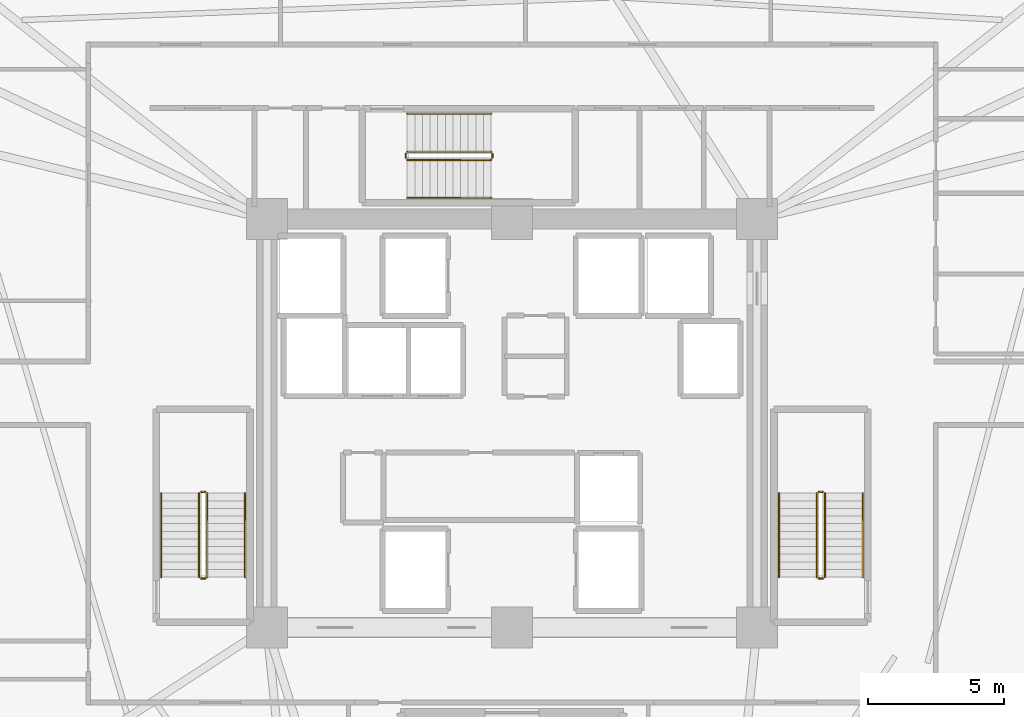
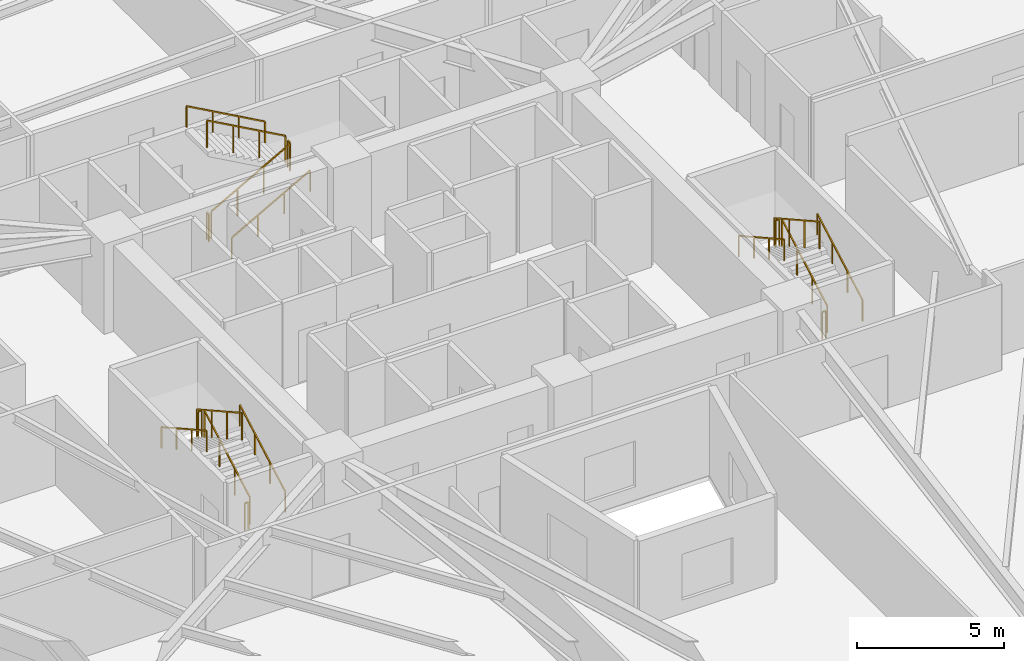
# One storey, part 9 of 9: 18 railings.
"""IFC4 building model written with IfcOpenShell, lengths in metres."""

from ifc_helpers import new_model, si_unit, direction, frame, origin, origin_2d, place, context, subcontext, project, spatial, rectangle, extrude, material, type_object, element, save


model = new_model("IFC4")

# Units and contexts
model_context = context("Model", 3, precision=1e-05, world=origin(), true_north=direction((0.0, 1.0)))
body_context = subcontext(model_context, "Body", "Model", "MODEL_VIEW")
ifc_project = project(units=[si_unit("LENGTHUNIT", "METRE"), si_unit("AREAUNIT", "SQUARE_METRE"), si_unit("VOLUMEUNIT", "CUBIC_METRE"), si_unit("PLANEANGLEUNIT", "RADIAN"), si_unit("MASSUNIT", "GRAM", prefix="KILO")], contexts=[model_context])

# Site, building, storey
site_placement = place(None, origin())
site = spatial("IfcSite", under=ifc_project, at=site_placement, CompositionType="ELEMENT")
building_placement = place(site_placement, origin())
building = spatial("IfcBuilding", under=site, at=building_placement, Name="Liaohun Quay Tower", CompositionType="ELEMENT")
storey_placement = place(building_placement, frame((0.0, 0.0, 132.0)))
storey = spatial("IfcBuildingStorey", under=building, at=storey_placement, Name="L34", CompositionType="ELEMENT", Elevation=132.0)

# Railings
ifc_material_1 = material(Name="Painted tubular steel", Category="steel")
railing_type_1 = type_object("IfcRailingType", Name="RLG-GUARD-STR", PredefinedType="GUARDRAIL", material=ifc_material_1)
railing_1_placement = place(storey_placement, frame((48.81005859375, 48.35009765625, 0.15625)))
element("IfcRailing", 1, at=railing_1_placement, inside=storey, type_object=railing_type_1, Name="L34 ST-1 stair guard 1", PredefinedType="GUARDRAIL", context=body_context, shape_type="SweptSolid", body=[
    extrude(rectangle(XDim=0.048095703125, YDim=0.048095703125, at=origin_2d()), frame((0.0, 0.0, 1.1259765625), z_axis=(0.0, 0.873225103656, 0.487317061414), x_axis=(-1.0, 0.0, 0.0)), (0.0, 0.0, 1.0), 3.52685546875),
    extrude(rectangle(XDim=0.0419921875, YDim=0.0419921875, at=origin_2d()), origin(), (0.0, 0.0, 1.0), 1.101806640625),
    extrude(rectangle(XDim=0.0419921875, YDim=0.0419921875, at=origin_2d()), frame((0.0, 1.026611328125, 0.572998046875)), (0.0, 0.0, 1.0), 1.101806640625),
    extrude(rectangle(XDim=0.0419921875, YDim=0.0419921875, at=origin_2d()), frame((0.0, 2.05322265625, 1.145751953125)), (0.0, 0.0, 1.0), 1.101806640625),
    extrude(rectangle(XDim=0.0419921875, YDim=0.0419921875, at=origin_2d()), frame((0.0, 3.079833984375, 1.71875)), (0.0, 0.0, 1.0), 1.101806640625),
])
railing_2_placement = place(storey_placement, frame((48.72998046875, 51.47998046875, 1.875)))
element("IfcRailing", 2, at=railing_2_placement, inside=storey, type_object=railing_type_1, Name="L34 ST-1 stair guard 2", PredefinedType="GUARDRAIL", context=body_context, shape_type="SweptSolid", body=[
    extrude(rectangle(XDim=0.048095703125, YDim=0.048095703125, at=origin_2d()), frame((0.0, 0.0, 1.1259765625), z_axis=(-1.0, 0.0, 0.0), x_axis=(0.0, -1.0, 0.0)), (0.0, 0.0, 1.0), 0.139892578125),
    extrude(rectangle(XDim=0.0419921875, YDim=0.0419921875, at=origin_2d()), origin(), (0.0, 0.0, 1.0), 1.101806640625),
    extrude(rectangle(XDim=0.0419921875, YDim=0.0419921875, at=origin_2d()), frame((-0.139892578125, 0.0, 0.0)), (0.0, 0.0, 1.0), 1.101806640625),
])
railing_3_placement = place(storey_placement, frame((48.510009765625, 51.429931640625, 2.03125)))
element("IfcRailing", 3, at=railing_3_placement, inside=storey, type_object=railing_type_1, Name="L34 ST-1 stair guard 3", PredefinedType="GUARDRAIL", context=body_context, shape_type="SweptSolid", body=[
    extrude(rectangle(XDim=0.048095703125, YDim=0.048095703125, at=origin_2d()), frame((0.0, 0.0, 1.1259765625), z_axis=(0.0, -0.873225103656, 0.487317061414), x_axis=(1.0, 0.0, 0.0)), (0.0, 0.0, 1.0), 3.52685546875),
    extrude(rectangle(XDim=0.0419921875, YDim=0.0419921875, at=origin_2d()), origin(), (0.0, 0.0, 1.0), 1.101806640625),
    extrude(rectangle(XDim=0.0419921875, YDim=0.0419921875, at=origin_2d()), frame((0.0, -1.026611328125, 0.572998046875)), (0.0, 0.0, 1.0), 1.101806640625),
    extrude(rectangle(XDim=0.0419921875, YDim=0.0419921875, at=origin_2d()), frame((0.0, -2.05322265625, 1.145751953125)), (0.0, 0.0, 1.0), 1.101806640625),
    extrude(rectangle(XDim=0.0419921875, YDim=0.0419921875, at=origin_2d()), frame((0.0, -3.079833984375, 1.71875)), (0.0, 0.0, 1.0), 1.101806640625),
])
railing_4_placement = place(storey_placement, frame((48.72998046875, 48.300048828125, 0.0)))
element("IfcRailing", 4, at=railing_4_placement, inside=storey, type_object=railing_type_1, Name="L34 ST-1 stair guard 4", PredefinedType="GUARDRAIL", context=body_context, shape_type="SweptSolid", body=[
    extrude(rectangle(XDim=0.048095703125, YDim=0.048095703125, at=origin_2d()), frame((0.0, 0.0, 1.1259765625), z_axis=(-1.0, 0.0, 0.0), x_axis=(0.0, -1.0, 0.0)), (0.0, 0.0, 1.0), 0.139892578125),
    extrude(rectangle(XDim=0.0419921875, YDim=0.0419921875, at=origin_2d()), origin(), (0.0, 0.0, 1.0), 1.101806640625),
    extrude(rectangle(XDim=0.0419921875, YDim=0.0419921875, at=origin_2d()), frame((-0.139892578125, 0.0, 0.0)), (0.0, 0.0, 1.0), 1.101806640625),
])
railing_5_placement = place(storey_placement, frame((71.489990234375, 48.35009765625, 0.15625)))
element("IfcRailing", 5, at=railing_5_placement, inside=storey, type_object=railing_type_1, Name="L34 ST-2 stair guard 1", PredefinedType="GUARDRAIL", context=body_context, shape_type="SweptSolid", body=[
    extrude(rectangle(XDim=0.048095703125, YDim=0.048095703125, at=origin_2d()), frame((0.0, 0.0, 1.1259765625), z_axis=(0.0, 0.873225103656, 0.487317061414), x_axis=(-1.0, 0.0, 0.0)), (0.0, 0.0, 1.0), 3.52685546875),
    extrude(rectangle(XDim=0.0419921875, YDim=0.0419921875, at=origin_2d()), origin(), (0.0, 0.0, 1.0), 1.101806640625),
    extrude(rectangle(XDim=0.0419921875, YDim=0.0419921875, at=origin_2d()), frame((0.0, 1.026611328125, 0.572998046875)), (0.0, 0.0, 1.0), 1.101806640625),
    extrude(rectangle(XDim=0.0419921875, YDim=0.0419921875, at=origin_2d()), frame((0.0, 2.05322265625, 1.145751953125)), (0.0, 0.0, 1.0), 1.101806640625),
    extrude(rectangle(XDim=0.0419921875, YDim=0.0419921875, at=origin_2d()), frame((0.0, 3.079833984375, 1.71875)), (0.0, 0.0, 1.0), 1.101806640625),
])
railing_6_placement = place(storey_placement, frame((71.409912109375, 51.47998046875, 1.875)))
element("IfcRailing", 6, at=railing_6_placement, inside=storey, type_object=railing_type_1, Name="L34 ST-2 stair guard 2", PredefinedType="GUARDRAIL", context=body_context, shape_type="SweptSolid", body=[
    extrude(rectangle(XDim=0.048095703125, YDim=0.048095703125, at=origin_2d()), frame((0.0, 0.0, 1.1259765625), z_axis=(-1.0, 0.0, 0.0), x_axis=(0.0, -1.0, 0.0)), (0.0, 0.0, 1.0), 0.139892578125),
    extrude(rectangle(XDim=0.0419921875, YDim=0.0419921875, at=origin_2d()), origin(), (0.0, 0.0, 1.0), 1.101806640625),
    extrude(rectangle(XDim=0.0419921875, YDim=0.0419921875, at=origin_2d()), frame((-0.139892578125, 0.0, 0.0)), (0.0, 0.0, 1.0), 1.101806640625),
])
railing_7_placement = place(storey_placement, frame((71.18994140625, 51.429931640625, 2.03125)))
element("IfcRailing", 7, at=railing_7_placement, inside=storey, type_object=railing_type_1, Name="L34 ST-2 stair guard 3", PredefinedType="GUARDRAIL", context=body_context, shape_type="SweptSolid", body=[
    extrude(rectangle(XDim=0.048095703125, YDim=0.048095703125, at=origin_2d()), frame((0.0, 0.0, 1.1259765625), z_axis=(0.0, -0.873225103656, 0.487317061414), x_axis=(1.0, 0.0, 0.0)), (0.0, 0.0, 1.0), 3.52685546875),
    extrude(rectangle(XDim=0.0419921875, YDim=0.0419921875, at=origin_2d()), origin(), (0.0, 0.0, 1.0), 1.101806640625),
    extrude(rectangle(XDim=0.0419921875, YDim=0.0419921875, at=origin_2d()), frame((0.0, -1.026611328125, 0.572998046875)), (0.0, 0.0, 1.0), 1.101806640625),
    extrude(rectangle(XDim=0.0419921875, YDim=0.0419921875, at=origin_2d()), frame((0.0, -2.05322265625, 1.145751953125)), (0.0, 0.0, 1.0), 1.101806640625),
    extrude(rectangle(XDim=0.0419921875, YDim=0.0419921875, at=origin_2d()), frame((0.0, -3.079833984375, 1.71875)), (0.0, 0.0, 1.0), 1.101806640625),
])
railing_8_placement = place(storey_placement, frame((71.409912109375, 48.300048828125, 0.0)))
element("IfcRailing", 8, at=railing_8_placement, inside=storey, type_object=railing_type_1, Name="L34 ST-2 stair guard 4", PredefinedType="GUARDRAIL", context=body_context, shape_type="SweptSolid", body=[
    extrude(rectangle(XDim=0.048095703125, YDim=0.048095703125, at=origin_2d()), frame((0.0, 0.0, 1.1259765625), z_axis=(-1.0, 0.0, 0.0), x_axis=(0.0, -1.0, 0.0)), (0.0, 0.0, 1.0), 0.139892578125),
    extrude(rectangle(XDim=0.0419921875, YDim=0.0419921875, at=origin_2d()), origin(), (0.0, 0.0, 1.0), 1.101806640625),
    extrude(rectangle(XDim=0.0419921875, YDim=0.0419921875, at=origin_2d()), frame((-0.139892578125, 0.0, 0.0)), (0.0, 0.0, 1.0), 1.101806640625),
])
railing_9_placement = place(storey_placement, frame((56.14990234375, 63.669921875, 0.15625)))
element("IfcRailing", 9, at=railing_9_placement, inside=storey, type_object=railing_type_1, Name="L34 ST-3 stair guard 1", PredefinedType="GUARDRAIL", context=body_context, shape_type="SweptSolid", body=[
    extrude(rectangle(XDim=0.048095703125, YDim=0.048095703125, at=origin_2d()), frame((0.0, 0.0, 1.1259765625), z_axis=(0.873241540666, 0.0, 0.487287606713), x_axis=(0.0, 1.0, 0.0)), (0.0, 0.0, 1.0), 3.527099609375),
    extrude(rectangle(XDim=0.0419921875, YDim=0.0419921875, at=origin_2d()), origin(), (0.0, 0.0, 1.0), 1.101806640625),
    extrude(rectangle(XDim=0.0419921875, YDim=0.0419921875, at=origin_2d()), frame((1.026611328125, 0.0, 0.572998046875)), (0.0, 0.0, 1.0), 1.101806640625),
    extrude(rectangle(XDim=0.0419921875, YDim=0.0419921875, at=origin_2d()), frame((2.053466796875, 0.0, 1.145751953125)), (0.0, 0.0, 1.0), 1.101806640625),
    extrude(rectangle(XDim=0.0419921875, YDim=0.0419921875, at=origin_2d()), frame((3.080078125, 0.0, 1.71875)), (0.0, 0.0, 1.0), 1.101806640625),
])
railing_10_placement = place(storey_placement, frame((59.280029296875, 63.75, 1.875)))
element("IfcRailing", 10, at=railing_10_placement, inside=storey, type_object=railing_type_1, Name="L34 ST-3 stair guard 2", PredefinedType="GUARDRAIL", context=body_context, shape_type="SweptSolid", body=[
    extrude(rectangle(XDim=0.048095703125, YDim=0.048095703125, at=origin_2d()), frame((0.0, 0.0, 1.1259765625), z_axis=(0.0, 1.0, 0.0), x_axis=(-1.0, 0.0, 0.0)), (0.0, 0.0, 1.0), 0.139892578125),
    extrude(rectangle(XDim=0.0419921875, YDim=0.0419921875, at=origin_2d()), origin(), (0.0, 0.0, 1.0), 1.101806640625),
    extrude(rectangle(XDim=0.0419921875, YDim=0.0419921875, at=origin_2d()), frame((0.0, 0.139892578125, 0.0)), (0.0, 0.0, 1.0), 1.101806640625),
])
railing_11_placement = place(storey_placement, frame((59.22998046875, 63.969970703125, 2.03125)))
element("IfcRailing", 11, at=railing_11_placement, inside=storey, type_object=railing_type_1, Name="L34 ST-3 stair guard 3", PredefinedType="GUARDRAIL", context=body_context, shape_type="SweptSolid", body=[
    extrude(rectangle(XDim=0.048095703125, YDim=0.048095703125, at=origin_2d()), frame((0.0, 0.0, 1.1259765625), z_axis=(-0.873241540666, 0.0, 0.487287606713), x_axis=(0.0, -1.0, 0.0)), (0.0, 0.0, 1.0), 3.527099609375),
    extrude(rectangle(XDim=0.0419921875, YDim=0.0419921875, at=origin_2d()), origin(), (0.0, 0.0, 1.0), 1.101806640625),
    extrude(rectangle(XDim=0.0419921875, YDim=0.0419921875, at=origin_2d()), frame((-1.026611328125, 0.0, 0.572998046875)), (0.0, 0.0, 1.0), 1.101806640625),
    extrude(rectangle(XDim=0.0419921875, YDim=0.0419921875, at=origin_2d()), frame((-2.053466796875, 0.0, 1.145751953125)), (0.0, 0.0, 1.0), 1.101806640625),
    extrude(rectangle(XDim=0.0419921875, YDim=0.0419921875, at=origin_2d()), frame((-3.080078125, 0.0, 1.71875)), (0.0, 0.0, 1.0), 1.101806640625),
])
railing_12_placement = place(storey_placement, frame((56.10009765625, 63.75, 0.0)))
element("IfcRailing", 12, at=railing_12_placement, inside=storey, type_object=railing_type_1, Name="L34 ST-3 stair guard 4", PredefinedType="GUARDRAIL", context=body_context, shape_type="SweptSolid", body=[
    extrude(rectangle(XDim=0.048095703125, YDim=0.048095703125, at=origin_2d()), frame((0.0, 0.0, 1.1259765625), z_axis=(0.0, 1.0, 0.0), x_axis=(-1.0, 0.0, 0.0)), (0.0, 0.0, 1.0), 0.139892578125),
    extrude(rectangle(XDim=0.0419921875, YDim=0.0419921875, at=origin_2d()), origin(), (0.0, 0.0, 1.0), 1.101806640625),
    extrude(rectangle(XDim=0.0419921875, YDim=0.0419921875, at=origin_2d()), frame((0.0, 0.139892578125, 0.0)), (0.0, 0.0, 1.0), 1.101806640625),
])
ifc_material_2 = material(Name="Brushed stainless steel", Category="steel")
railing_type_2 = type_object("IfcRailingType", Name="RLG-HND-STR", PredefinedType="HANDRAIL", material=ifc_material_2)
railing_13_placement = place(storey_placement, frame((50.199951171875, 48.35009765625, 0.15625)))
element("IfcRailing", 13, at=railing_13_placement, inside=storey, type_object=railing_type_2, Name="L34 ST-1 stair handrail 1", PredefinedType="HANDRAIL", context=body_context, shape_type="SweptSolid", body=[
    extrude(rectangle(XDim=0.048095703125, YDim=0.048095703125, at=origin_2d()), frame((0.0, 0.0, 0.8759765625), z_axis=(0.0, 0.873225103656, 0.487317061414), x_axis=(-1.0, 0.0, 0.0)), (0.0, 0.0, 1.0), 3.52685546875),
    extrude(rectangle(XDim=0.0419921875, YDim=0.0419921875, at=origin_2d()), origin(), (0.0, 0.0, 1.0), 0.851806640625),
    extrude(rectangle(XDim=0.0419921875, YDim=0.0419921875, at=origin_2d()), frame((0.0, 1.026611328125, 0.572998046875)), (0.0, 0.0, 1.0), 0.851806640625),
    extrude(rectangle(XDim=0.0419921875, YDim=0.0419921875, at=origin_2d()), frame((0.0, 2.05322265625, 1.145751953125)), (0.0, 0.0, 1.0), 0.851806640625),
    extrude(rectangle(XDim=0.0419921875, YDim=0.0419921875, at=origin_2d()), frame((0.0, 3.079833984375, 1.71875)), (0.0, 0.0, 1.0), 0.851806640625),
])
railing_14_placement = place(storey_placement, frame((47.1201171875, 51.429931640625, 2.03125)))
element("IfcRailing", 14, at=railing_14_placement, inside=storey, type_object=railing_type_2, Name="L34 ST-1 stair handrail 2", PredefinedType="HANDRAIL", context=body_context, shape_type="SweptSolid", body=[
    extrude(rectangle(XDim=0.048095703125, YDim=0.048095703125, at=origin_2d()), frame((0.0, 0.0, 0.8759765625), z_axis=(0.0, -0.873225103656, 0.487317061414), x_axis=(1.0, 0.0, 0.0)), (0.0, 0.0, 1.0), 3.52685546875),
    extrude(rectangle(XDim=0.0419921875, YDim=0.0419921875, at=origin_2d()), origin(), (0.0, 0.0, 1.0), 0.851806640625),
    extrude(rectangle(XDim=0.0419921875, YDim=0.0419921875, at=origin_2d()), frame((0.0, -1.026611328125, 0.572998046875)), (0.0, 0.0, 1.0), 0.851806640625),
    extrude(rectangle(XDim=0.0419921875, YDim=0.0419921875, at=origin_2d()), frame((0.0, -2.05322265625, 1.145751953125)), (0.0, 0.0, 1.0), 0.851806640625),
    extrude(rectangle(XDim=0.0419921875, YDim=0.0419921875, at=origin_2d()), frame((0.0, -3.079833984375, 1.71875)), (0.0, 0.0, 1.0), 0.851806640625),
])
railing_15_placement = place(storey_placement, frame((72.8798828125, 48.35009765625, 0.15625)))
element("IfcRailing", 15, at=railing_15_placement, inside=storey, type_object=railing_type_2, Name="L34 ST-2 stair handrail 1", PredefinedType="HANDRAIL", context=body_context, shape_type="SweptSolid", body=[
    extrude(rectangle(XDim=0.048095703125, YDim=0.048095703125, at=origin_2d()), frame((0.0, 0.0, 0.8759765625), z_axis=(0.0, 0.873225103656, 0.487317061414), x_axis=(-1.0, 0.0, 0.0)), (0.0, 0.0, 1.0), 3.52685546875),
    extrude(rectangle(XDim=0.0419921875, YDim=0.0419921875, at=origin_2d()), origin(), (0.0, 0.0, 1.0), 0.851806640625),
    extrude(rectangle(XDim=0.0419921875, YDim=0.0419921875, at=origin_2d()), frame((0.0, 1.026611328125, 0.572998046875)), (0.0, 0.0, 1.0), 0.851806640625),
    extrude(rectangle(XDim=0.0419921875, YDim=0.0419921875, at=origin_2d()), frame((0.0, 2.05322265625, 1.145751953125)), (0.0, 0.0, 1.0), 0.851806640625),
    extrude(rectangle(XDim=0.0419921875, YDim=0.0419921875, at=origin_2d()), frame((0.0, 3.079833984375, 1.71875)), (0.0, 0.0, 1.0), 0.851806640625),
])
railing_16_placement = place(storey_placement, frame((69.800048828125, 51.429931640625, 2.03125)))
element("IfcRailing", 16, at=railing_16_placement, inside=storey, type_object=railing_type_2, Name="L34 ST-2 stair handrail 2", PredefinedType="HANDRAIL", context=body_context, shape_type="SweptSolid", body=[
    extrude(rectangle(XDim=0.048095703125, YDim=0.048095703125, at=origin_2d()), frame((0.0, 0.0, 0.8759765625), z_axis=(0.0, -0.873225103656, 0.487317061414), x_axis=(1.0, 0.0, 0.0)), (0.0, 0.0, 1.0), 3.52685546875),
    extrude(rectangle(XDim=0.0419921875, YDim=0.0419921875, at=origin_2d()), origin(), (0.0, 0.0, 1.0), 0.851806640625),
    extrude(rectangle(XDim=0.0419921875, YDim=0.0419921875, at=origin_2d()), frame((0.0, -1.026611328125, 0.572998046875)), (0.0, 0.0, 1.0), 0.851806640625),
    extrude(rectangle(XDim=0.0419921875, YDim=0.0419921875, at=origin_2d()), frame((0.0, -2.05322265625, 1.145751953125)), (0.0, 0.0, 1.0), 0.851806640625),
    extrude(rectangle(XDim=0.0419921875, YDim=0.0419921875, at=origin_2d()), frame((0.0, -3.079833984375, 1.71875)), (0.0, 0.0, 1.0), 0.851806640625),
])
railing_17_placement = place(storey_placement, frame((56.14990234375, 62.280029296875, 0.15625)))
element("IfcRailing", 17, at=railing_17_placement, inside=storey, type_object=railing_type_2, Name="L34 ST-3 stair handrail 1", PredefinedType="HANDRAIL", context=body_context, shape_type="SweptSolid", body=[
    extrude(rectangle(XDim=0.048095703125, YDim=0.048095703125, at=origin_2d()), frame((0.0, 0.0, 0.8759765625), z_axis=(0.873241540666, 0.0, 0.487287606713), x_axis=(0.0, 1.0, 0.0)), (0.0, 0.0, 1.0), 3.527099609375),
    extrude(rectangle(XDim=0.0419921875, YDim=0.0419921875, at=origin_2d()), origin(), (0.0, 0.0, 1.0), 0.851806640625),
    extrude(rectangle(XDim=0.0419921875, YDim=0.0419921875, at=origin_2d()), frame((1.026611328125, 0.0, 0.572998046875)), (0.0, 0.0, 1.0), 0.851806640625),
    extrude(rectangle(XDim=0.0419921875, YDim=0.0419921875, at=origin_2d()), frame((2.053466796875, 0.0, 1.145751953125)), (0.0, 0.0, 1.0), 0.851806640625),
    extrude(rectangle(XDim=0.0419921875, YDim=0.0419921875, at=origin_2d()), frame((3.080078125, 0.0, 1.71875)), (0.0, 0.0, 1.0), 0.851806640625),
])
railing_18_placement = place(storey_placement, frame((59.22998046875, 65.360107421875, 2.03125)))
element("IfcRailing", 18, at=railing_18_placement, inside=storey, type_object=railing_type_2, Name="L34 ST-3 stair handrail 2", PredefinedType="HANDRAIL", context=body_context, shape_type="SweptSolid", body=[
    extrude(rectangle(XDim=0.048095703125, YDim=0.048095703125, at=origin_2d()), frame((0.0, 0.0, 0.8759765625), z_axis=(-0.873241540666, 0.0, 0.487287606713), x_axis=(0.0, -1.0, 0.0)), (0.0, 0.0, 1.0), 3.527099609375),
    extrude(rectangle(XDim=0.0419921875, YDim=0.0419921875, at=origin_2d()), origin(), (0.0, 0.0, 1.0), 0.851806640625),
    extrude(rectangle(XDim=0.0419921875, YDim=0.0419921875, at=origin_2d()), frame((-1.026611328125, 0.0, 0.572998046875)), (0.0, 0.0, 1.0), 0.851806640625),
    extrude(rectangle(XDim=0.0419921875, YDim=0.0419921875, at=origin_2d()), frame((-2.053466796875, 0.0, 1.145751953125)), (0.0, 0.0, 1.0), 0.851806640625),
    extrude(rectangle(XDim=0.0419921875, YDim=0.0419921875, at=origin_2d()), frame((-3.080078125, 0.0, 1.71875)), (0.0, 0.0, 1.0), 0.851806640625),
])

save(model, "model.ifc")
